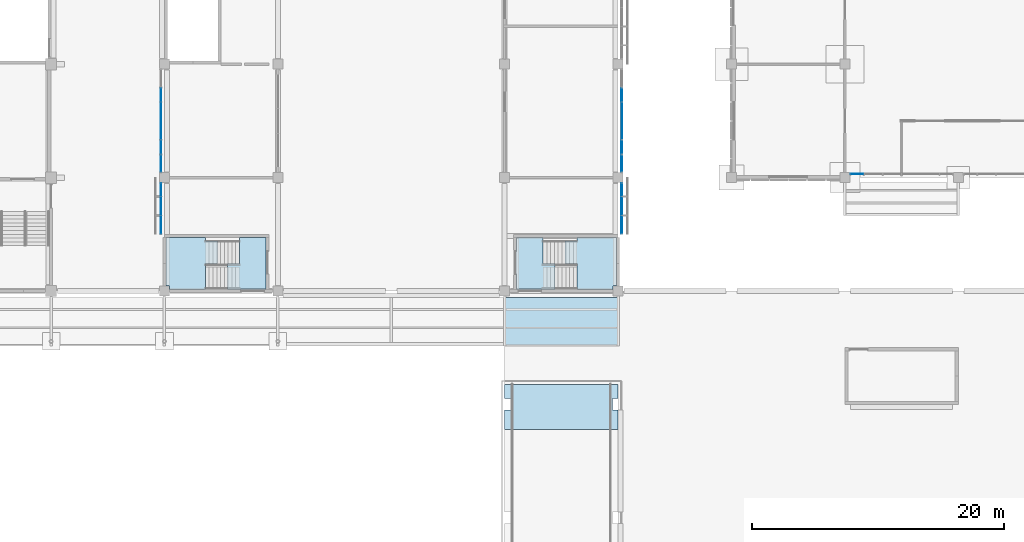
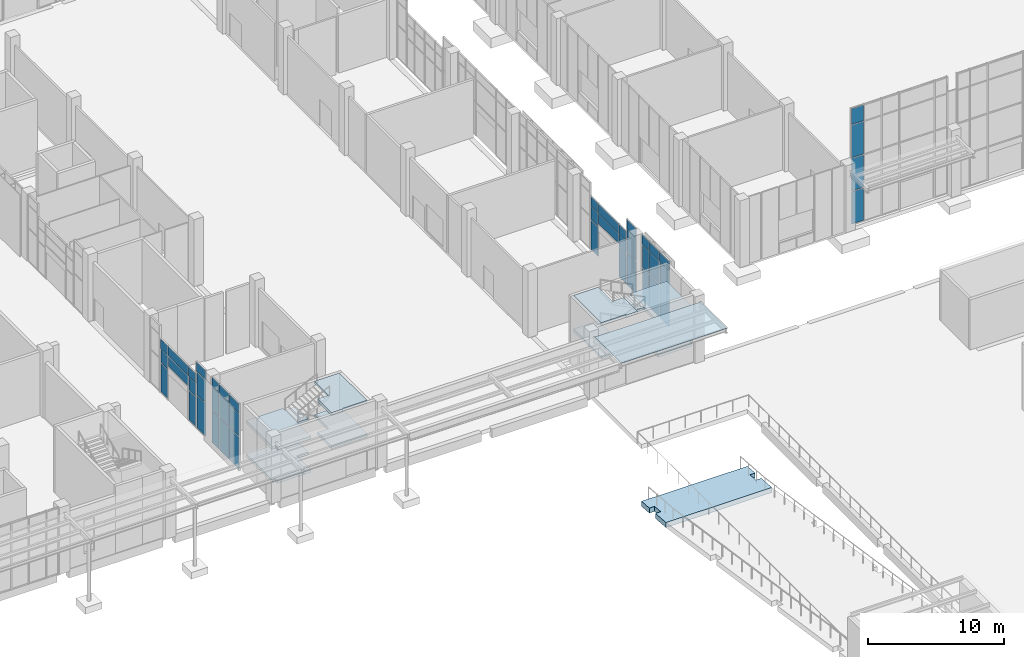
# One storey, part 40 of 86: 45 plates, 9 slabs, 9 elements without a shape of their own.
"""IFC4 building model written with IfcOpenShell, lengths in metres."""

from ifc_helpers import new_model, si_unit, direction, frame, origin, origin_2d, place, context, subcontext, project, spatial, polyline, rectangle, outline, extrude, material, layer, layer_set, type_object, element, aggregate, save


model = new_model("IFC4")

# Units and contexts
model_context = context("Model", 3, precision=1e-05, world=origin(), true_north=direction((0.0, 1.0)))
body_context = subcontext(model_context, "Body", "Model", "MODEL_VIEW")
ifc_project = project(units=[si_unit("LENGTHUNIT", "METRE"), si_unit("AREAUNIT", "SQUARE_METRE"), si_unit("VOLUMEUNIT", "CUBIC_METRE"), si_unit("PLANEANGLEUNIT", "RADIAN"), si_unit("MASSUNIT", "GRAM", prefix="KILO")], contexts=[model_context])

# Site, building, storey
site_placement = place(None, origin())
site = spatial("IfcSite", under=ifc_project, at=site_placement, CompositionType="ELEMENT")
building_placement = place(site_placement, origin())
building = spatial("IfcBuilding", under=site, at=building_placement, Name="Guidao Yard Department Store", CompositionType="ELEMENT")
storey_placement = place(building_placement, origin())
storey = spatial("IfcBuildingStorey", under=building, at=storey_placement, Name="L00", CompositionType="ELEMENT", Elevation=0.0)

# Plate
ifc_material_1 = material(Name="Laminated glass", Category="glass")
ifc_layer_1 = layer(ifc_material_1, 0.021484375)
ifc_layer_set_1 = layer_set([ifc_layer_1], Name="Canopy glass CG1 laminated 10+10")
plate_type_1 = type_object("IfcPlateType", Name="Canopy glass CG1 laminated 10+10", PredefinedType="SHEET", material=ifc_layer_set_1)
plate_1_placement = place(storey_placement, frame((103.5, 42.56005859375, 5.449951171875), z_axis=(0.0, 0.0, 1.0), x_axis=(1.0, 0.0, 0.0)))
element("IfcPlate", 1, at=plate_1_placement, inside=storey, type_object=plate_type_1, Name="Entrance canopy glazing 11.1", PredefinedType="SHEET", context=body_context, shape_type="SweptSolid", body=[
    extrude(rectangle(XDim=8.989990234375, YDim=3.8798828125, at=origin_2d()), origin(), (0.0, 0.0, 1.0), 0.021484375),
])

# Slab
ifc_material_2 = material(Name="Concrete C35", Category="concrete")
ifc_layer_2 = layer(ifc_material_2, 0.449951171875)
ifc_layer_set_2 = layer_set([ifc_layer_2], Name="Car park ramp slab RC 450 C35")
slab_type_1 = type_object("IfcSlabType", Name="Car park ramp slab RC 450 C35", PredefinedType="USERDEFINED", material=ifc_layer_set_2)
slab_1_placement = place(storey_placement, frame((108.0, 34.0, -4.830078125), z_axis=(0.0, 0.074796500112, 0.997198818477), x_axis=(0.0, 0.997198818477, -0.074796500112)))
element("IfcSlab", 2, at=slab_1_placement, inside=storey, type_object=slab_type_1, Name="Car park ramp A slab 3", ObjectType="CAR RAMP", PredefinedType="USERDEFINED", context=body_context, shape_type="SweptSolid", body=[
    extrude(outline(polyline([(0.0, 0.0), (1.5543990313869207, 0.0), (1.5543990313869207, 0.449951171875), (2.4568205838613877, 0.449951171875), (2.4568205838613877, 0.0), (3.6102096451120222, 0.0), (3.6102096451120222, 9.0), (2.4568205838613877, 9.0), (2.4568205838613877, 8.550048828125), (1.5543990313869207, 8.550048828125), (1.5543990313869207, 9.0), (0.0, 9.0), (0.0, 0.0)])), origin(), (0.074796500112, 0.0, -0.997198818477), 0.451171875),
])

# Curtain wall, plates
ifc_material_3 = material(Name="Aluminium and glass", Category="aluminium")
ifc_layer_3 = layer(ifc_material_3, 0.159912109375)
ifc_layer_set_3 = layer_set([ifc_layer_3], Name="Shopfront curtain wall CW1 1500 module")
curtain_wall_type_1 = type_object("IfcCurtainWallType", Name="Shopfront curtain wall CW1 1500 module", PredefinedType="NOTDEFINED", material=ifc_layer_set_3)
curtain_wall_1_placement = place(storey_placement, origin())
curtain_wall_1 = element("IfcCurtainWall", 3, at=curtain_wall_1_placement, inside=storey, type_object=curtain_wall_type_1, Name="Arcade shop front", PredefinedType="NOTDEFINED")
ifc_material_4 = material(Name="Aluminium 6063-T5 faced insulated spandrel", Category="aluminium")
ifc_layer_4 = layer(ifc_material_4, 0.06005859375)
ifc_layer_set_4 = layer_set([ifc_layer_4], Name="Spandrel panel SP1 insulated opaque")
plate_type_2 = type_object("IfcPlateType", Name="Spandrel panel SP1 insulated opaque", PredefinedType="CURTAIN_PANEL", material=ifc_layer_set_4)
plate_2_placement = place(storey_placement, frame((71.719970703125, 50.264892578125, 5.1298828125), z_axis=(0.0, 0.0, 1.0), x_axis=(0.0, 1.0, 0.0)))
plate_2 = element("IfcPlate", 4, at=plate_2_placement, type_object=plate_type_2, Name="CW-AS-L00-01 panel 1.3", PredefinedType="CURTAIN_PANEL", context=body_context, shape_type="SweptSolid", body=[
    extrude(rectangle(XDim=1.409912109375, YDim=0.06005859375, at=origin_2d()), origin(), (0.0, 0.0, 1.0), 0.81005859375),
])
plate_3_placement = place(storey_placement, frame((71.719970703125, 51.75, 5.1298828125), z_axis=(0.0, 0.0, 1.0), x_axis=(0.0, 1.0, 0.0)))
plate_3 = element("IfcPlate", 5, at=plate_3_placement, type_object=plate_type_2, Name="CW-AS-L00-01 panel 2.3", PredefinedType="CURTAIN_PANEL", context=body_context, shape_type="SweptSolid", body=[
    extrude(rectangle(XDim=1.43994140625, YDim=0.06005859375, at=origin_2d()), origin(), (0.0, 0.0, 1.0), 0.81005859375),
])
plate_4_placement = place(storey_placement, frame((71.719970703125, 53.034912109375, 5.1298828125), z_axis=(0.0, 0.0, 1.0), x_axis=(0.0, 1.0, 0.0)))
plate_4 = element("IfcPlate", 6, at=plate_4_placement, type_object=plate_type_2, Name="CW-AS-L00-01 panel 3.3", PredefinedType="CURTAIN_PANEL", context=body_context, shape_type="SweptSolid", body=[
    extrude(rectangle(XDim=1.010009765625, YDim=0.06005859375, at=origin_2d()), origin(), (0.0, 0.0, 1.0), 0.81005859375),
])

# Curtain wall, plate
curtain_wall_2_placement = place(storey_placement, origin())
curtain_wall_2 = element("IfcCurtainWall", 7, at=curtain_wall_2_placement, inside=storey, type_object=curtain_wall_type_1, Name="Arcade shop front", PredefinedType="NOTDEFINED")
plate_5_placement = place(storey_placement, frame((71.719970703125, 55.125, 5.1298828125), z_axis=(0.0, 0.0, 1.0), x_axis=(0.0, 1.0, 0.0)))
plate_5 = element("IfcPlate", 8, at=plate_5_placement, type_object=plate_type_2, Name="CW-AS-L00-02 panel 1.3", PredefinedType="CURTAIN_PANEL", context=body_context, shape_type="SweptSolid", body=[
    extrude(rectangle(XDim=1.330078125, YDim=0.06005859375, at=origin_2d()), origin(), (0.0, 0.0, 1.0), 0.81005859375),
])

# Curtain wall, plates
curtain_wall_3_placement = place(storey_placement, origin())
curtain_wall_3 = element("IfcCurtainWall", 9, at=curtain_wall_3_placement, inside=storey, type_object=curtain_wall_type_1, Name="Arcade shop front", PredefinedType="NOTDEFINED")
plate_6_placement = place(storey_placement, frame((71.719970703125, 56.43994140625, 3.97998046875), z_axis=(0.0, 0.0, 1.0), x_axis=(0.0, 1.0, 0.0)))
plate_6 = element("IfcPlate", 10, at=plate_6_placement, type_object=plate_type_2, Name="CW-AS-L00-03 panel 1.3", PredefinedType="CURTAIN_PANEL", context=body_context, shape_type="SweptSolid", body=[
    extrude(rectangle(XDim=1.06005859375, YDim=0.06005859375, at=origin_2d()), origin(), (0.0, 0.0, 1.0), 0.81005859375),
])
plate_7_placement = place(storey_placement, frame((71.719970703125, 58.5, 3.97998046875), z_axis=(0.0, 0.0, 1.0), x_axis=(0.0, 1.0, 0.0)))
plate_7 = element("IfcPlate", 11, at=plate_7_placement, type_object=plate_type_2, Name="CW-AS-L00-03 panel 2.3", PredefinedType="CURTAIN_PANEL", context=body_context, shape_type="SweptSolid", body=[
    extrude(rectangle(XDim=2.93994140625, YDim=0.06005859375, at=origin_2d()), origin(), (0.0, 0.0, 1.0), 0.81005859375),
])
plate_8_placement = place(storey_placement, frame((71.719970703125, 60.56005859375, 3.97998046875), z_axis=(0.0, 0.0, 1.0), x_axis=(0.0, 1.0, 0.0)))
plate_8 = element("IfcPlate", 12, at=plate_8_placement, type_object=plate_type_2, Name="CW-AS-L00-03 panel 3.3", PredefinedType="CURTAIN_PANEL", context=body_context, shape_type="SweptSolid", body=[
    extrude(rectangle(XDim=1.06005859375, YDim=0.06005859375, at=origin_2d()), origin(), (0.0, 0.0, 1.0), 0.81005859375),
])

curtain_wall_4_placement = place(storey_placement, origin())
curtain_wall_4 = element("IfcCurtainWall", 13, at=curtain_wall_4_placement, inside=storey, type_object=curtain_wall_type_1, Name="Arcade shop front", PredefinedType="NOTDEFINED")
plate_9_placement = place(storey_placement, frame((108.280029296875, 50.264892578125, 5.1298828125), z_axis=(0.0, 0.0, 1.0), x_axis=(0.0, -1.0, 0.0)))
plate_9 = element("IfcPlate", 14, at=plate_9_placement, type_object=plate_type_2, Name="CW-AS-L00-11 panel 1.3", PredefinedType="CURTAIN_PANEL", context=body_context, shape_type="SweptSolid", body=[
    extrude(rectangle(XDim=1.409912109375, YDim=0.06005859375, at=origin_2d()), origin(), (0.0, 0.0, 1.0), 0.81005859375),
])
plate_10_placement = place(storey_placement, frame((108.280029296875, 51.75, 5.1298828125), z_axis=(0.0, 0.0, 1.0), x_axis=(0.0, -1.0, 0.0)))
plate_10 = element("IfcPlate", 15, at=plate_10_placement, type_object=plate_type_2, Name="CW-AS-L00-11 panel 2.3", PredefinedType="CURTAIN_PANEL", context=body_context, shape_type="SweptSolid", body=[
    extrude(rectangle(XDim=1.43994140625, YDim=0.06005859375, at=origin_2d()), origin(), (0.0, 0.0, 1.0), 0.81005859375),
])
plate_11_placement = place(storey_placement, frame((108.280029296875, 53.034912109375, 5.1298828125), z_axis=(0.0, 0.0, 1.0), x_axis=(0.0, -1.0, 0.0)))
plate_11 = element("IfcPlate", 16, at=plate_11_placement, type_object=plate_type_2, Name="CW-AS-L00-11 panel 3.3", PredefinedType="CURTAIN_PANEL", context=body_context, shape_type="SweptSolid", body=[
    extrude(rectangle(XDim=1.010009765625, YDim=0.06005859375, at=origin_2d()), origin(), (0.0, 0.0, 1.0), 0.81005859375),
])

# Curtain wall, plate
curtain_wall_5_placement = place(storey_placement, origin())
curtain_wall_5 = element("IfcCurtainWall", 17, at=curtain_wall_5_placement, inside=storey, type_object=curtain_wall_type_1, Name="Arcade shop front", PredefinedType="NOTDEFINED")
plate_12_placement = place(storey_placement, frame((108.280029296875, 55.125, 5.1298828125), z_axis=(0.0, 0.0, 1.0), x_axis=(0.0, -1.0, 0.0)))
plate_12 = element("IfcPlate", 18, at=plate_12_placement, type_object=plate_type_2, Name="CW-AS-L00-12 panel 1.3", PredefinedType="CURTAIN_PANEL", context=body_context, shape_type="SweptSolid", body=[
    extrude(rectangle(XDim=1.330078125, YDim=0.06005859375, at=origin_2d()), origin(), (0.0, 0.0, 1.0), 0.81005859375),
])

# Curtain wall, plates
curtain_wall_6_placement = place(storey_placement, origin())
curtain_wall_6 = element("IfcCurtainWall", 19, at=curtain_wall_6_placement, inside=storey, type_object=curtain_wall_type_1, Name="Arcade shop front", PredefinedType="NOTDEFINED")
plate_13_placement = place(storey_placement, frame((108.280029296875, 56.43994140625, 3.97998046875), z_axis=(0.0, 0.0, 1.0), x_axis=(0.0, -1.0, 0.0)))
plate_13 = element("IfcPlate", 20, at=plate_13_placement, type_object=plate_type_2, Name="CW-AS-L00-13 panel 1.3", PredefinedType="CURTAIN_PANEL", context=body_context, shape_type="SweptSolid", body=[
    extrude(rectangle(XDim=1.06005859375, YDim=0.06005859375, at=origin_2d()), origin(), (0.0, 0.0, 1.0), 0.81005859375),
])
plate_14_placement = place(storey_placement, frame((108.280029296875, 58.5, 3.97998046875), z_axis=(0.0, 0.0, 1.0), x_axis=(0.0, -1.0, 0.0)))
plate_14 = element("IfcPlate", 21, at=plate_14_placement, type_object=plate_type_2, Name="CW-AS-L00-13 panel 2.3", PredefinedType="CURTAIN_PANEL", context=body_context, shape_type="SweptSolid", body=[
    extrude(rectangle(XDim=2.93994140625, YDim=0.06005859375, at=origin_2d()), origin(), (0.0, 0.0, 1.0), 0.81005859375),
])
plate_15_placement = place(storey_placement, frame((108.280029296875, 60.56005859375, 3.97998046875), z_axis=(0.0, 0.0, 1.0), x_axis=(0.0, -1.0, 0.0)))
plate_15 = element("IfcPlate", 22, at=plate_15_placement, type_object=plate_type_2, Name="CW-AS-L00-13 panel 3.3", PredefinedType="CURTAIN_PANEL", context=body_context, shape_type="SweptSolid", body=[
    extrude(rectangle(XDim=1.06005859375, YDim=0.06005859375, at=origin_2d()), origin(), (0.0, 0.0, 1.0), 0.81005859375),
])

# Curtain wall, plate
ifc_material_5 = material(Name="Stainless steel and glass", Category="steel")
ifc_layer_5 = layer(ifc_material_5, 0.159912109375)
ifc_layer_set_5 = layer_set([ifc_layer_5], Name="Food hall front curtain wall CW3 1500 module")
curtain_wall_type_2 = type_object("IfcCurtainWallType", Name="Food hall front curtain wall CW3 1500 module", PredefinedType="NOTDEFINED", material=ifc_layer_set_5)
curtain_wall_7_placement = place(storey_placement, origin())
curtain_wall_7 = element("IfcCurtainWall", 23, at=curtain_wall_7_placement, inside=storey, type_object=curtain_wall_type_2, Name="Food hall front curtain wall", PredefinedType="NOTDEFINED")
plate_16_placement = place(storey_placement, frame((126.965087890625, 54.280029296875, 9.0302734375), z_axis=(0.0, 0.0, 1.0), x_axis=(-1.0, 0.0, 0.0)))
plate_16 = element("IfcPlate", 24, at=plate_16_placement, type_object=plate_type_2, Name="CW-FH-L00-01 panel 1.4", PredefinedType="CURTAIN_PANEL", context=body_context, shape_type="SweptSolid", body=[
    extrude(rectangle(XDim=1.010009765625, YDim=0.06005859375, at=origin_2d()), origin(), (0.0, 0.0, 1.0), 1.409912109375),
])

# Stair, slabs
ifc_material_6 = material(Name="Concrete C35", Category="concrete")
stair_type = type_object("IfcStairType", Name="Stair double-return four-flight 1800 wide 6.0 m rise", PredefinedType="DOUBLE_RETURN_STAIR", material=ifc_material_6)
stair_1_placement = place(storey_placement, origin())
stair_1 = element("IfcStair", 25, at=stair_1_placement, inside=storey, type_object=stair_type, Name="Stair G1 L00 to L01", PredefinedType="DOUBLE_RETURN_STAIR")
ifc_material_7 = material(Name="Concrete C35", Category="concrete")
ifc_layer_6 = layer(ifc_material_7, 0.25)
ifc_layer_set_6 = layer_set([ifc_layer_6], Name="Stair landing RC 250 C35")
slab_type_2 = type_object("IfcSlabType", Name="Stair landing RC 250 C35", PredefinedType="LANDING", material=ifc_layer_set_6)
slab_2_placement = place(storey_placement, frame((0.0, 0.0, 1.25)))
slab_2 = element("IfcSlab", 26, at=slab_2_placement, type_object=slab_type_2, Name="SG1-L00 landing 1", PredefinedType="LANDING", context=body_context, shape_type="SweptSolid", body=[
    extrude(outline(polyline([(75.25, 45.125), (72.39990234375, 45.125), (72.39990234375, 45.39990234375), (72.125, 45.39990234375), (72.125, 49.25), (75.25, 49.25), (75.25, 48.97509765625), (76.2099609375, 48.97509765625), (76.2099609375, 47.175048828125), (75.260009765625, 47.175048828125), (75.260009765625, 45.125), (75.25, 45.125)])), origin(), (0.0, 0.0, 1.0), 0.25),
])
slab_3_placement = place(storey_placement, frame((0.0, 0.0, 2.75)))
slab_3 = element("IfcSlab", 27, at=slab_3_placement, type_object=slab_type_2, Name="SG1-L00 landing 2", PredefinedType="LANDING", context=body_context, shape_type="SweptSolid", body=[
    extrude(outline(polyline([(76.989990234375, 47.175048828125), (77.93994140625, 47.175048828125), (77.93994140625, 48.97509765625), (77.949951171875, 48.97509765625), (77.949951171875, 49.25), (80.050048828125, 49.25), (80.050048828125, 45.125), (77.949951171875, 45.125), (76.989990234375, 45.125), (76.989990234375, 47.175048828125)])), origin(), (0.0, 0.0, 1.0), 0.25),
])
slab_4_placement = place(storey_placement, frame((0.0, 0.0, 4.25)))
slab_4 = element("IfcSlab", 28, at=slab_4_placement, type_object=slab_type_2, Name="SG1-L00 landing 3", PredefinedType="LANDING", context=body_context, shape_type="SweptSolid", body=[
    extrude(outline(polyline([(75.25, 45.125), (72.39990234375, 45.125), (72.39990234375, 45.39990234375), (72.125, 45.39990234375), (72.125, 49.25), (75.25, 49.25), (75.25, 48.97509765625), (76.2099609375, 48.97509765625), (76.2099609375, 47.175048828125), (75.260009765625, 47.175048828125), (75.260009765625, 45.125), (75.25, 45.125)])), origin(), (0.0, 0.0, 1.0), 0.25),
])
slab_5_placement = place(storey_placement, frame((0.0, 0.0, 5.75)))
slab_5 = element("IfcSlab", 29, at=slab_5_placement, type_object=slab_type_2, Name="SG1-L00 landing 4", PredefinedType="LANDING", context=body_context, shape_type="SweptSolid", body=[
    extrude(outline(polyline([(76.989990234375, 45.125), (76.989990234375, 47.175048828125), (77.93994140625, 47.175048828125), (77.93994140625, 49.25), (80.050048828125, 49.25), (80.050048828125, 47.175048828125), (80.050048828125, 45.199951171875), (77.949951171875, 45.199951171875), (77.949951171875, 45.125), (76.989990234375, 45.125)])), origin(), (0.0, 0.0, 1.0), 0.25),
])
aggregate(stair_1, [slab_2, slab_3, slab_4, slab_5])

stair_2_placement = place(storey_placement, origin())
stair_2 = element("IfcStair", 30, at=stair_2_placement, inside=storey, type_object=stair_type, Name="Stair G3 L00 to L01", PredefinedType="DOUBLE_RETURN_STAIR")
slab_6_placement = place(storey_placement, frame((0.0, 0.0, 1.25)))
slab_6 = element("IfcSlab", 31, at=slab_6_placement, type_object=slab_type_2, Name="SG3-L00 landing 1", PredefinedType="LANDING", context=body_context, shape_type="SweptSolid", body=[
    extrude(outline(polyline([(104.739990234375, 47.175048828125), (103.7900390625, 47.175048828125), (103.7900390625, 48.97509765625), (104.75, 48.97509765625), (104.75, 49.25), (107.875, 49.25), (107.875, 45.39990234375), (107.60009765625, 45.39990234375), (107.60009765625, 45.125), (104.75, 45.125), (104.739990234375, 45.125), (104.739990234375, 47.175048828125)])), origin(), (0.0, 0.0, 1.0), 0.25),
])
slab_7_placement = place(storey_placement, frame((0.0, 0.0, 2.75)))
slab_7 = element("IfcSlab", 32, at=slab_7_placement, type_object=slab_type_2, Name="SG3-L00 landing 2", PredefinedType="LANDING", context=body_context, shape_type="SweptSolid", body=[
    extrude(outline(polyline([(103.010009765625, 45.125), (102.050048828125, 45.125), (99.949951171875, 45.125), (99.949951171875, 49.25), (102.050048828125, 49.25), (102.050048828125, 48.97509765625), (102.06005859375, 48.97509765625), (102.06005859375, 47.175048828125), (103.010009765625, 47.175048828125), (103.010009765625, 45.125)])), origin(), (0.0, 0.0, 1.0), 0.25),
])
slab_8_placement = place(storey_placement, frame((0.0, 0.0, 4.25)))
slab_8 = element("IfcSlab", 33, at=slab_8_placement, type_object=slab_type_2, Name="SG3-L00 landing 3", PredefinedType="LANDING", context=body_context, shape_type="SweptSolid", body=[
    extrude(outline(polyline([(104.739990234375, 47.175048828125), (103.7900390625, 47.175048828125), (103.7900390625, 48.97509765625), (104.75, 48.97509765625), (104.75, 49.25), (107.875, 49.25), (107.875, 45.39990234375), (107.60009765625, 45.39990234375), (107.60009765625, 45.125), (104.75, 45.125), (104.739990234375, 45.125), (104.739990234375, 47.175048828125)])), origin(), (0.0, 0.0, 1.0), 0.25),
])
slab_9_placement = place(storey_placement, frame((0.0, 0.0, 5.75)))
slab_9 = element("IfcSlab", 34, at=slab_9_placement, type_object=slab_type_2, Name="SG3-L00 landing 4", PredefinedType="LANDING", context=body_context, shape_type="SweptSolid", body=[
    extrude(outline(polyline([(103.010009765625, 45.125), (102.050048828125, 45.125), (102.050048828125, 45.199951171875), (99.949951171875, 45.199951171875), (99.949951171875, 47.175048828125), (99.949951171875, 49.25), (102.06005859375, 49.25), (102.06005859375, 47.175048828125), (103.010009765625, 47.175048828125), (103.010009765625, 45.125)])), origin(), (0.0, 0.0, 1.0), 0.25),
])
aggregate(stair_2, [slab_6, slab_7, slab_8, slab_9])

# Plate
ifc_material_8 = material(Name="Laminated heat-soaked tempered glass", Category="glass")
ifc_layer_7 = layer(ifc_material_8, 0.017578125)
ifc_layer_set_7 = layer_set([ifc_layer_7], Name="Vision glass VG1 laminated heat-soaked tempered 8+8")
plate_type_3 = type_object("IfcPlateType", Name="Vision glass VG1 laminated heat-soaked tempered 8+8", PredefinedType="CURTAIN_PANEL", material=ifc_layer_set_7)
plate_17_placement = place(storey_placement, frame((71.719970703125, 50.264892578125, 0.06005859375), z_axis=(0.0, 0.0, 1.0), x_axis=(0.0, 1.0, 0.0)))
plate_17 = element("IfcPlate", 35, at=plate_17_placement, type_object=plate_type_3, Name="CW-AS-L00-01 panel 1.1", PredefinedType="CURTAIN_PANEL", context=body_context, shape_type="SweptSolid", body=[
    extrude(rectangle(XDim=1.409912109375, YDim=0.017578125, at=origin_2d()), origin(), (0.0, 0.0, 1.0), 2.909912109375),
])

plate_18_placement = place(storey_placement, frame((71.719970703125, 50.264892578125, 3.030029296875), z_axis=(0.0, 0.0, 1.0), x_axis=(0.0, 1.0, 0.0)))
plate_18 = element("IfcPlate", 36, at=plate_18_placement, type_object=plate_type_3, Name="CW-AS-L00-01 panel 1.2", PredefinedType="CURTAIN_PANEL", context=body_context, shape_type="SweptSolid", body=[
    extrude(rectangle(XDim=1.409912109375, YDim=0.017578125, at=origin_2d()), origin(), (0.0, 0.0, 1.0), 2.0400390625),
])

plate_19_placement = place(storey_placement, frame((71.719970703125, 51.75, 0.06005859375), z_axis=(0.0, 0.0, 1.0), x_axis=(0.0, 1.0, 0.0)))
plate_19 = element("IfcPlate", 37, at=plate_19_placement, type_object=plate_type_3, Name="CW-AS-L00-01 panel 2.1", PredefinedType="CURTAIN_PANEL", context=body_context, shape_type="SweptSolid", body=[
    extrude(rectangle(XDim=1.43994140625, YDim=0.017578125, at=origin_2d()), origin(), (0.0, 0.0, 1.0), 2.909912109375),
])

plate_20_placement = place(storey_placement, frame((71.719970703125, 51.75, 3.030029296875), z_axis=(0.0, 0.0, 1.0), x_axis=(0.0, 1.0, 0.0)))
plate_20 = element("IfcPlate", 38, at=plate_20_placement, type_object=plate_type_3, Name="CW-AS-L00-01 panel 2.2", PredefinedType="CURTAIN_PANEL", context=body_context, shape_type="SweptSolid", body=[
    extrude(rectangle(XDim=1.43994140625, YDim=0.017578125, at=origin_2d()), origin(), (0.0, 0.0, 1.0), 2.0400390625),
])

plate_21_placement = place(storey_placement, frame((71.719970703125, 53.034912109375, 0.06005859375), z_axis=(0.0, 0.0, 1.0), x_axis=(0.0, 1.0, 0.0)))
plate_21 = element("IfcPlate", 39, at=plate_21_placement, type_object=plate_type_3, Name="CW-AS-L00-01 panel 3.1", PredefinedType="CURTAIN_PANEL", context=body_context, shape_type="SweptSolid", body=[
    extrude(rectangle(XDim=1.010009765625, YDim=0.017578125, at=origin_2d()), origin(), (0.0, 0.0, 1.0), 2.909912109375),
])

plate_22_placement = place(storey_placement, frame((71.719970703125, 53.034912109375, 3.030029296875), z_axis=(0.0, 0.0, 1.0), x_axis=(0.0, 1.0, 0.0)))
plate_22 = element("IfcPlate", 40, at=plate_22_placement, type_object=plate_type_3, Name="CW-AS-L00-01 panel 3.2", PredefinedType="CURTAIN_PANEL", context=body_context, shape_type="SweptSolid", body=[
    extrude(rectangle(XDim=1.010009765625, YDim=0.017578125, at=origin_2d()), origin(), (0.0, 0.0, 1.0), 2.0400390625),
])

aggregate(curtain_wall_1, [plate_17, plate_18, plate_2, plate_19, plate_20, plate_3, plate_21, plate_22, plate_4])

plate_23_placement = place(storey_placement, frame((71.719970703125, 55.125, 0.06005859375), z_axis=(0.0, 0.0, 1.0), x_axis=(0.0, 1.0, 0.0)))
plate_23 = element("IfcPlate", 41, at=plate_23_placement, type_object=plate_type_3, Name="CW-AS-L00-02 panel 1.1", PredefinedType="CURTAIN_PANEL", context=body_context, shape_type="SweptSolid", body=[
    extrude(rectangle(XDim=1.330078125, YDim=0.017578125, at=origin_2d()), origin(), (0.0, 0.0, 1.0), 2.909912109375),
])

plate_24_placement = place(storey_placement, frame((71.719970703125, 55.125, 3.030029296875), z_axis=(0.0, 0.0, 1.0), x_axis=(0.0, 1.0, 0.0)))
plate_24 = element("IfcPlate", 42, at=plate_24_placement, type_object=plate_type_3, Name="CW-AS-L00-02 panel 1.2", PredefinedType="CURTAIN_PANEL", context=body_context, shape_type="SweptSolid", body=[
    extrude(rectangle(XDim=1.330078125, YDim=0.017578125, at=origin_2d()), origin(), (0.0, 0.0, 1.0), 2.0400390625),
])

aggregate(curtain_wall_2, [plate_23, plate_24, plate_5])

plate_25_placement = place(storey_placement, frame((71.719970703125, 56.43994140625, 0.06005859375), z_axis=(0.0, 0.0, 1.0), x_axis=(0.0, 1.0, 0.0)))
plate_25 = element("IfcPlate", 43, at=plate_25_placement, type_object=plate_type_3, Name="CW-AS-L00-03 panel 1.1", PredefinedType="CURTAIN_PANEL", context=body_context, shape_type="SweptSolid", body=[
    extrude(rectangle(XDim=1.06005859375, YDim=0.017578125, at=origin_2d()), origin(), (0.0, 0.0, 1.0), 2.610107421875),
])

plate_26_placement = place(storey_placement, frame((71.719970703125, 56.43994140625, 2.72998046875), z_axis=(0.0, 0.0, 1.0), x_axis=(0.0, 1.0, 0.0)))
plate_26 = element("IfcPlate", 44, at=plate_26_placement, type_object=plate_type_3, Name="CW-AS-L00-03 panel 1.2", PredefinedType="CURTAIN_PANEL", context=body_context, shape_type="SweptSolid", body=[
    extrude(rectangle(XDim=1.06005859375, YDim=0.017578125, at=origin_2d()), origin(), (0.0, 0.0, 1.0), 1.18994140625),
])

plate_27_placement = place(storey_placement, frame((71.719970703125, 58.5, 3.0302734375), z_axis=(0.0, 0.0, 1.0), x_axis=(0.0, 1.0, 0.0)))
plate_27 = element("IfcPlate", 45, at=plate_27_placement, type_object=plate_type_3, Name="CW-AS-L00-03 panel 2.2", PredefinedType="CURTAIN_PANEL", context=body_context, shape_type="SweptSolid", body=[
    extrude(rectangle(XDim=2.93994140625, YDim=0.017578125, at=origin_2d()), origin(), (0.0, 0.0, 1.0), 0.889892578125),
])

plate_28_placement = place(storey_placement, frame((71.719970703125, 60.56005859375, 0.06005859375), z_axis=(0.0, 0.0, 1.0), x_axis=(0.0, 1.0, 0.0)))
plate_28 = element("IfcPlate", 46, at=plate_28_placement, type_object=plate_type_3, Name="CW-AS-L00-03 panel 3.1", PredefinedType="CURTAIN_PANEL", context=body_context, shape_type="SweptSolid", body=[
    extrude(rectangle(XDim=1.06005859375, YDim=0.017578125, at=origin_2d()), origin(), (0.0, 0.0, 1.0), 2.610107421875),
])

plate_29_placement = place(storey_placement, frame((71.719970703125, 60.56005859375, 2.72998046875), z_axis=(0.0, 0.0, 1.0), x_axis=(0.0, 1.0, 0.0)))
plate_29 = element("IfcPlate", 47, at=plate_29_placement, type_object=plate_type_3, Name="CW-AS-L00-03 panel 3.2", PredefinedType="CURTAIN_PANEL", context=body_context, shape_type="SweptSolid", body=[
    extrude(rectangle(XDim=1.06005859375, YDim=0.017578125, at=origin_2d()), origin(), (0.0, 0.0, 1.0), 1.18994140625),
])

aggregate(curtain_wall_3, [plate_25, plate_26, plate_6, plate_27, plate_7, plate_28, plate_29, plate_8])

plate_30_placement = place(storey_placement, frame((108.280029296875, 50.264892578125, 0.06005859375), z_axis=(0.0, 0.0, 1.0), x_axis=(0.0, -1.0, 0.0)))
plate_30 = element("IfcPlate", 48, at=plate_30_placement, type_object=plate_type_3, Name="CW-AS-L00-11 panel 1.1", PredefinedType="CURTAIN_PANEL", context=body_context, shape_type="SweptSolid", body=[
    extrude(rectangle(XDim=1.409912109375, YDim=0.017578125, at=origin_2d()), origin(), (0.0, 0.0, 1.0), 2.909912109375),
])

plate_31_placement = place(storey_placement, frame((108.280029296875, 50.264892578125, 3.030029296875), z_axis=(0.0, 0.0, 1.0), x_axis=(0.0, -1.0, 0.0)))
plate_31 = element("IfcPlate", 49, at=plate_31_placement, type_object=plate_type_3, Name="CW-AS-L00-11 panel 1.2", PredefinedType="CURTAIN_PANEL", context=body_context, shape_type="SweptSolid", body=[
    extrude(rectangle(XDim=1.409912109375, YDim=0.017578125, at=origin_2d()), origin(), (0.0, 0.0, 1.0), 2.0400390625),
])

plate_32_placement = place(storey_placement, frame((108.280029296875, 51.75, 0.06005859375), z_axis=(0.0, 0.0, 1.0), x_axis=(0.0, -1.0, 0.0)))
plate_32 = element("IfcPlate", 50, at=plate_32_placement, type_object=plate_type_3, Name="CW-AS-L00-11 panel 2.1", PredefinedType="CURTAIN_PANEL", context=body_context, shape_type="SweptSolid", body=[
    extrude(rectangle(XDim=1.43994140625, YDim=0.017578125, at=origin_2d()), origin(), (0.0, 0.0, 1.0), 2.909912109375),
])

plate_33_placement = place(storey_placement, frame((108.280029296875, 51.75, 3.030029296875), z_axis=(0.0, 0.0, 1.0), x_axis=(0.0, -1.0, 0.0)))
plate_33 = element("IfcPlate", 51, at=plate_33_placement, type_object=plate_type_3, Name="CW-AS-L00-11 panel 2.2", PredefinedType="CURTAIN_PANEL", context=body_context, shape_type="SweptSolid", body=[
    extrude(rectangle(XDim=1.43994140625, YDim=0.017578125, at=origin_2d()), origin(), (0.0, 0.0, 1.0), 2.0400390625),
])

plate_34_placement = place(storey_placement, frame((108.280029296875, 53.034912109375, 0.06005859375), z_axis=(0.0, 0.0, 1.0), x_axis=(0.0, -1.0, 0.0)))
plate_34 = element("IfcPlate", 52, at=plate_34_placement, type_object=plate_type_3, Name="CW-AS-L00-11 panel 3.1", PredefinedType="CURTAIN_PANEL", context=body_context, shape_type="SweptSolid", body=[
    extrude(rectangle(XDim=1.010009765625, YDim=0.017578125, at=origin_2d()), origin(), (0.0, 0.0, 1.0), 2.909912109375),
])

plate_35_placement = place(storey_placement, frame((108.280029296875, 53.034912109375, 3.030029296875), z_axis=(0.0, 0.0, 1.0), x_axis=(0.0, -1.0, 0.0)))
plate_35 = element("IfcPlate", 53, at=plate_35_placement, type_object=plate_type_3, Name="CW-AS-L00-11 panel 3.2", PredefinedType="CURTAIN_PANEL", context=body_context, shape_type="SweptSolid", body=[
    extrude(rectangle(XDim=1.010009765625, YDim=0.017578125, at=origin_2d()), origin(), (0.0, 0.0, 1.0), 2.0400390625),
])

aggregate(curtain_wall_4, [plate_30, plate_31, plate_9, plate_32, plate_33, plate_10, plate_34, plate_35, plate_11])

plate_36_placement = place(storey_placement, frame((108.280029296875, 55.125, 0.06005859375), z_axis=(0.0, 0.0, 1.0), x_axis=(0.0, -1.0, 0.0)))
plate_36 = element("IfcPlate", 54, at=plate_36_placement, type_object=plate_type_3, Name="CW-AS-L00-12 panel 1.1", PredefinedType="CURTAIN_PANEL", context=body_context, shape_type="SweptSolid", body=[
    extrude(rectangle(XDim=1.330078125, YDim=0.017578125, at=origin_2d()), origin(), (0.0, 0.0, 1.0), 2.909912109375),
])

plate_37_placement = place(storey_placement, frame((108.280029296875, 55.125, 3.030029296875), z_axis=(0.0, 0.0, 1.0), x_axis=(0.0, -1.0, 0.0)))
plate_37 = element("IfcPlate", 55, at=plate_37_placement, type_object=plate_type_3, Name="CW-AS-L00-12 panel 1.2", PredefinedType="CURTAIN_PANEL", context=body_context, shape_type="SweptSolid", body=[
    extrude(rectangle(XDim=1.330078125, YDim=0.017578125, at=origin_2d()), origin(), (0.0, 0.0, 1.0), 2.0400390625),
])

aggregate(curtain_wall_5, [plate_36, plate_37, plate_12])

plate_38_placement = place(storey_placement, frame((108.280029296875, 56.43994140625, 0.06005859375), z_axis=(0.0, 0.0, 1.0), x_axis=(0.0, -1.0, 0.0)))
plate_38 = element("IfcPlate", 56, at=plate_38_placement, type_object=plate_type_3, Name="CW-AS-L00-13 panel 1.1", PredefinedType="CURTAIN_PANEL", context=body_context, shape_type="SweptSolid", body=[
    extrude(rectangle(XDim=1.06005859375, YDim=0.017578125, at=origin_2d()), origin(), (0.0, 0.0, 1.0), 2.610107421875),
])

plate_39_placement = place(storey_placement, frame((108.280029296875, 56.43994140625, 2.72998046875), z_axis=(0.0, 0.0, 1.0), x_axis=(0.0, -1.0, 0.0)))
plate_39 = element("IfcPlate", 57, at=plate_39_placement, type_object=plate_type_3, Name="CW-AS-L00-13 panel 1.2", PredefinedType="CURTAIN_PANEL", context=body_context, shape_type="SweptSolid", body=[
    extrude(rectangle(XDim=1.06005859375, YDim=0.017578125, at=origin_2d()), origin(), (0.0, 0.0, 1.0), 1.18994140625),
])

plate_40_placement = place(storey_placement, frame((108.280029296875, 58.5, 3.0302734375), z_axis=(0.0, 0.0, 1.0), x_axis=(0.0, -1.0, 0.0)))
plate_40 = element("IfcPlate", 58, at=plate_40_placement, type_object=plate_type_3, Name="CW-AS-L00-13 panel 2.2", PredefinedType="CURTAIN_PANEL", context=body_context, shape_type="SweptSolid", body=[
    extrude(rectangle(XDim=2.93994140625, YDim=0.017578125, at=origin_2d()), origin(), (0.0, 0.0, 1.0), 0.889892578125),
])

plate_41_placement = place(storey_placement, frame((108.280029296875, 60.56005859375, 0.06005859375), z_axis=(0.0, 0.0, 1.0), x_axis=(0.0, -1.0, 0.0)))
plate_41 = element("IfcPlate", 59, at=plate_41_placement, type_object=plate_type_3, Name="CW-AS-L00-13 panel 3.1", PredefinedType="CURTAIN_PANEL", context=body_context, shape_type="SweptSolid", body=[
    extrude(rectangle(XDim=1.06005859375, YDim=0.017578125, at=origin_2d()), origin(), (0.0, 0.0, 1.0), 2.610107421875),
])

plate_42_placement = place(storey_placement, frame((108.280029296875, 60.56005859375, 2.72998046875), z_axis=(0.0, 0.0, 1.0), x_axis=(0.0, -1.0, 0.0)))
plate_42 = element("IfcPlate", 60, at=plate_42_placement, type_object=plate_type_3, Name="CW-AS-L00-13 panel 3.2", PredefinedType="CURTAIN_PANEL", context=body_context, shape_type="SweptSolid", body=[
    extrude(rectangle(XDim=1.06005859375, YDim=0.017578125, at=origin_2d()), origin(), (0.0, 0.0, 1.0), 1.18994140625),
])

aggregate(curtain_wall_6, [plate_38, plate_39, plate_13, plate_40, plate_14, plate_41, plate_42, plate_15])

plate_43_placement = place(storey_placement, frame((126.965087890625, 54.280029296875, 0.06005859375), z_axis=(0.0, 0.0, 1.0), x_axis=(-1.0, 0.0, 0.0)))
plate_43 = element("IfcPlate", 61, at=plate_43_placement, type_object=plate_type_3, Name="CW-FH-L00-01 panel 1.1", PredefinedType="CURTAIN_PANEL", context=body_context, shape_type="SweptSolid", body=[
    extrude(rectangle(XDim=1.010009765625, YDim=0.017578125, at=origin_2d()), origin(), (0.0, 0.0, 1.0), 2.909912109375),
])

plate_44_placement = place(storey_placement, frame((126.965087890625, 54.280029296875, 3.030029296875), z_axis=(0.0, 0.0, 1.0), x_axis=(-1.0, 0.0, 0.0)))
plate_44 = element("IfcPlate", 62, at=plate_44_placement, type_object=plate_type_3, Name="CW-FH-L00-01 panel 1.2", PredefinedType="CURTAIN_PANEL", context=body_context, shape_type="SweptSolid", body=[
    extrude(rectangle(XDim=1.010009765625, YDim=0.017578125, at=origin_2d()), origin(), (0.0, 0.0, 1.0), 2.93994140625),
])

plate_45_placement = place(storey_placement, frame((126.965087890625, 54.280029296875, 6.030029296875), z_axis=(0.0, 0.0, 1.0), x_axis=(-1.0, 0.0, 0.0)))
plate_45 = element("IfcPlate", 63, at=plate_45_placement, type_object=plate_type_3, Name="CW-FH-L00-01 panel 1.3", PredefinedType="CURTAIN_PANEL", context=body_context, shape_type="SweptSolid", body=[
    extrude(rectangle(XDim=1.010009765625, YDim=0.017578125, at=origin_2d()), origin(), (0.0, 0.0, 1.0), 2.93994140625),
])

aggregate(curtain_wall_7, [plate_43, plate_44, plate_45, plate_16])

save(model, "model.ifc")
